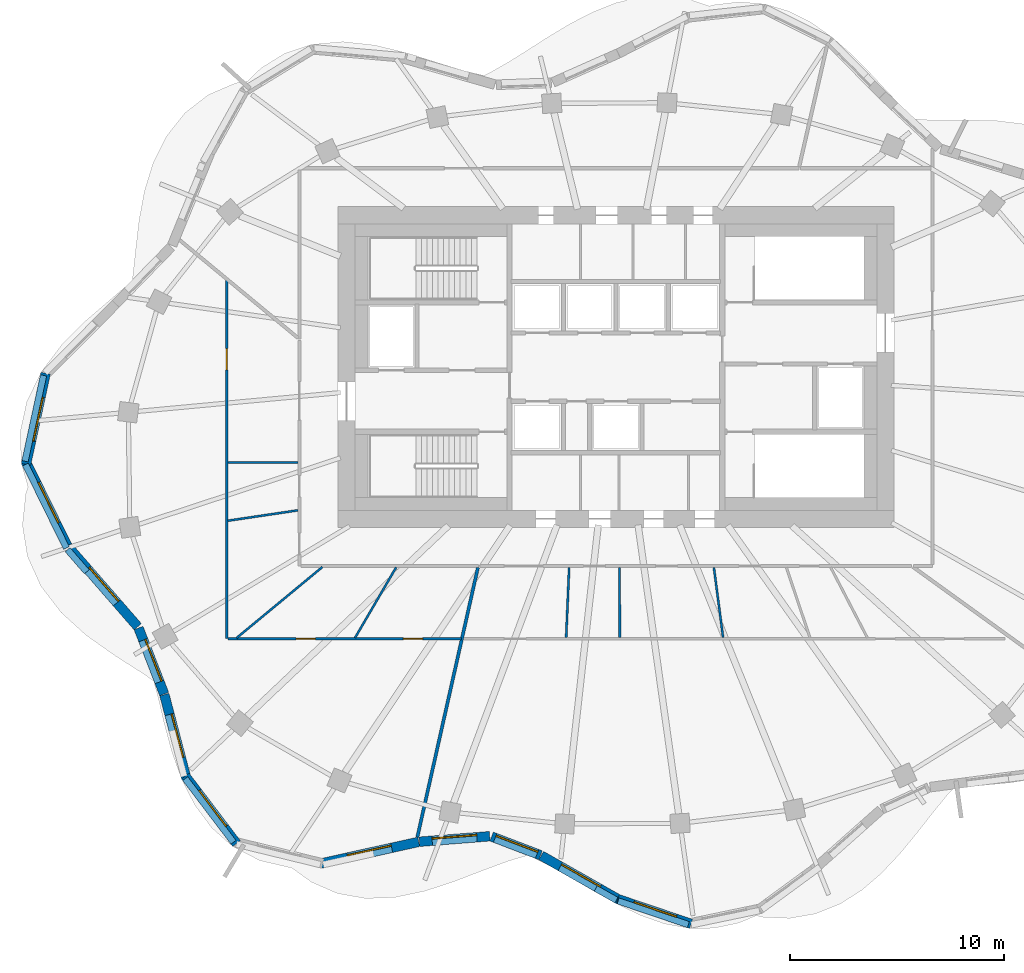
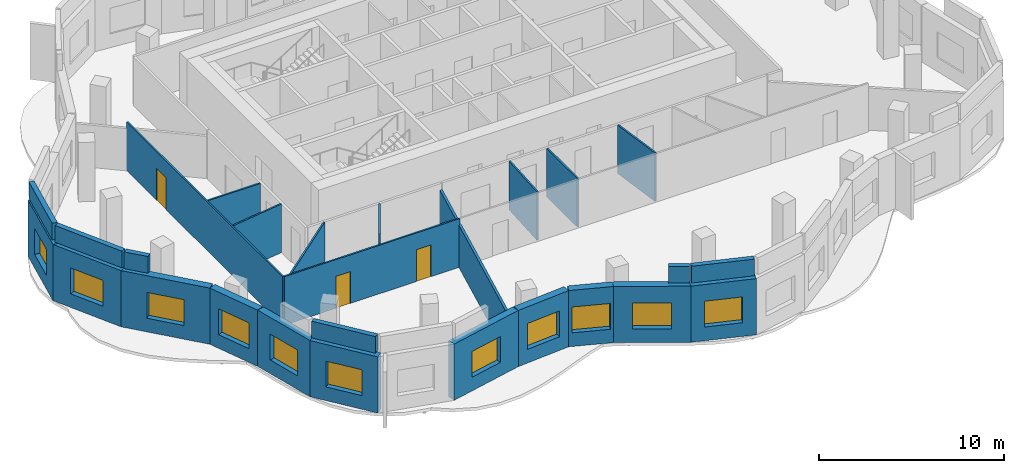
# One storey, part 3 of 9: 27 walls, 11 windows, 3 doors, 14 openings.
"""IFC4 building model written with IfcOpenShell, lengths in metres."""

from ifc_helpers import new_model, si_unit, direction, frame, frame_2d, origin, place, context, subcontext, project, spatial, rectangle, extrude, material, layer, layer_set, type_object, element, fill, save


model = new_model("IFC4")

# Units and contexts
model_context = context("Model", 3, precision=1e-05, world=origin(), true_north=direction((0.0, 1.0)))
body_context = subcontext(model_context, "Body", "Model", "MODEL_VIEW")
ifc_project = project(units=[si_unit("LENGTHUNIT", "METRE"), si_unit("AREAUNIT", "SQUARE_METRE"), si_unit("VOLUMEUNIT", "CUBIC_METRE"), si_unit("PLANEANGLEUNIT", "RADIAN"), si_unit("MASSUNIT", "GRAM", prefix="KILO")], contexts=[model_context])

# Site, building, storey
site_placement = place(None, origin())
site = spatial("IfcSite", under=ifc_project, at=site_placement, CompositionType="ELEMENT")
building_placement = place(site_placement, origin())
building = spatial("IfcBuilding", under=site, at=building_placement, Name="Rubra Terraces Tower", CompositionType="ELEMENT")
storey_placement = place(building_placement, frame((0.0, 0.0, 303.89990234375)))
storey = spatial("IfcBuildingStorey", under=building, at=storey_placement, Name="L75", CompositionType="ELEMENT", Elevation=303.89990234375)

# Wall, opening, window
ifc_material_1 = material(Name="Brick masonry red-brown", Category="masonry")
ifc_layer_1 = layer(ifc_material_1, 0.449951171875)
ifc_layer_set_1 = layer_set([ifc_layer_1], Name="Brick masonry red-brown")
wall_type_1 = type_object("IfcWallType", Name="Brick facade wall 450", PredefinedType="SOLIDWALL", material=ifc_layer_set_1)
wall_1_placement = place(storey_placement, frame((-26.668212890625, 4.21142578125, 0.0), z_axis=(0.0, 0.0, 1.0), x_axis=(-0.210910311825, -0.977505417052, 0.0)))
wall_1 = element("IfcWall", 1, at=wall_1_placement, inside=storey, type_object=wall_type_1, Name="Facade wall L75 bay 20", PredefinedType="SOLIDWALL", context=body_context, shape_type="SweptSolid", body=[
    extrude(rectangle(XDim=4.35693359375, YDim=0.449951171875, at=frame_2d((2.178466796875, 0.0))), origin(), (0.0, 0.0, 1.0), 3.7001953125),
])
opening_1_placement = place(wall_1_placement, frame((1.12841796875, 0.0, 0.89990234375)))
opening_1 = element("IfcOpeningElement", 2, at=opening_1_placement, cuts=wall_1, Name="Opening W1Y", PredefinedType="OPENING", context=body_context, shape_type="SweptSolid", body=[
    extrude(rectangle(XDim=2.10009765625, YDim=1.699951171875, at=frame_2d((1.050048828125, 0.85009765625))), frame((0.0, 0.23486328125, 0.0), z_axis=(0.0, -1.0, 0.0), x_axis=(1.0, 0.0, 0.0)), (0.0, 0.0, 1.0), 0.469970703125),
])
ifc_material_2 = material(Name="Clear glass in aluminium frame", Category="aluminium")
window_type = type_object("IfcWindowType", Name="Fixed deep-set window under crown ring girder 2100 x 1700", PartitioningType="SINGLE_PANEL", PredefinedType="WINDOW", material=ifc_material_2)
window_1_placement = place(opening_1_placement, origin())
window_1 = element("IfcWindow", 3, at=window_1_placement, inside=storey, type_object=window_type, Name="Window L75 bay 20", OverallHeight=1.699951171875, OverallWidth=2.10009765625, PartitioningType="SINGLE_PANEL", PredefinedType="WINDOW", context=body_context, shape_type="SweptSolid", body=[
    extrude(rectangle(XDim=2.10009765625, YDim=1.699951171875, at=frame_2d((1.050048828125, 0.85009765625))), frame((0.0, 0.135009765625, 0.0), z_axis=(0.0, -1.0, 0.0), x_axis=(1.0, 0.0, 0.0)), (0.0, 0.0, 1.0), 0.06005859375),
])
fill(opening_1, window_1)

wall_2_placement = place(storey_placement, frame((-27.60498046875, 0.09912109375, 0.0), z_axis=(0.0, 0.0, 1.0), x_axis=(0.440876526139, -0.897567762734, 0.0)))
wall_2 = element("IfcWall", 4, at=wall_2_placement, inside=storey, type_object=wall_type_1, Name="Facade wall L75 bay 21", PredefinedType="SOLIDWALL", context=body_context, shape_type="SweptSolid", body=[
    extrude(rectangle(XDim=4.4150390625, YDim=0.449951171875, at=frame_2d((2.20751953125, 0.0))), origin(), (0.0, 0.0, 1.0), 3.7001953125),
])
opening_2_placement = place(wall_2_placement, frame((1.15771484375, 0.0, 0.89990234375)))
opening_2 = element("IfcOpeningElement", 5, at=opening_2_placement, cuts=wall_2, Name="Opening W1Y", PredefinedType="OPENING", context=body_context, shape_type="SweptSolid", body=[
    extrude(rectangle(XDim=2.10009765625, YDim=1.699951171875, at=frame_2d((1.050048828125, 0.85009765625))), frame((0.0, 0.23486328125, 0.0), z_axis=(0.0, -1.0, 0.0), x_axis=(1.0, 0.0, 0.0)), (0.0, 0.0, 1.0), 0.469970703125),
])
window_2_placement = place(opening_2_placement, origin())
window_2 = element("IfcWindow", 6, at=window_2_placement, inside=storey, type_object=window_type, Name="Window L75 bay 21", OverallHeight=1.699951171875, OverallWidth=2.10009765625, PartitioningType="SINGLE_PANEL", PredefinedType="WINDOW", context=body_context, shape_type="SweptSolid", body=[
    extrude(rectangle(XDim=2.10009765625, YDim=1.699951171875, at=frame_2d((1.050048828125, 0.85009765625))), frame((0.0, 0.135009765625, 0.0), z_axis=(0.0, -1.0, 0.0), x_axis=(1.0, 0.0, 0.0)), (0.0, 0.0, 1.0), 0.06005859375),
])
fill(opening_2, window_2)

wall_3_placement = place(storey_placement, frame((-25.690673828125, -3.815185546875, 0.0), z_axis=(0.0, 0.0, 1.0), x_axis=(0.656552883353, -0.754279995334, 0.0)))
wall_3 = element("IfcWall", 7, at=wall_3_placement, inside=storey, type_object=wall_type_1, Name="Facade wall L75 bay 22", PredefinedType="SOLIDWALL", context=body_context, shape_type="SweptSolid", body=[
    extrude(rectangle(XDim=5.0712890625, YDim=0.449951171875, at=frame_2d((2.53564453125, 0.0))), origin(), (0.0, 0.0, 1.0), 3.7001953125),
])
opening_3_placement = place(wall_3_placement, frame((1.485595703125, 0.0, 0.89990234375)))
opening_3 = element("IfcOpeningElement", 8, at=opening_3_placement, cuts=wall_3, Name="Opening W1Y", PredefinedType="OPENING", context=body_context, shape_type="SweptSolid", body=[
    extrude(rectangle(XDim=2.10009765625, YDim=1.699951171875, at=frame_2d((1.050048828125, 0.85009765625))), frame((0.0, 0.23486328125, 0.0), z_axis=(0.0, -1.0, 0.0), x_axis=(1.0, 0.0, 0.0)), (0.0, 0.0, 1.0), 0.469970703125),
])
window_3_placement = place(opening_3_placement, origin())
window_3 = element("IfcWindow", 9, at=window_3_placement, inside=storey, type_object=window_type, Name="Window L75 bay 22", OverallHeight=1.699951171875, OverallWidth=2.10009765625, PartitioningType="SINGLE_PANEL", PredefinedType="WINDOW", context=body_context, shape_type="SweptSolid", body=[
    extrude(rectangle(XDim=2.10009765625, YDim=1.699951171875, at=frame_2d((1.050048828125, 0.85009765625))), frame((0.0, 0.135009765625, 0.0), z_axis=(0.0, -1.0, 0.0), x_axis=(1.0, 0.0, 0.0)), (0.0, 0.0, 1.0), 0.06005859375),
])
fill(opening_3, window_3)

wall_4_placement = place(storey_placement, frame((-22.323486328125, -7.70068359375, 0.0), z_axis=(0.0, 0.0, 1.0), x_axis=(0.361550075906, -0.932352692178, 0.0)))
wall_4 = element("IfcWall", 10, at=wall_4_placement, inside=storey, type_object=wall_type_1, Name="Facade wall L75 bay 23", PredefinedType="SOLIDWALL", context=body_context, shape_type="SweptSolid", body=[
    extrude(rectangle(XDim=3.3134765625, YDim=0.449951171875, at=frame_2d((1.65673828125, 0.0))), origin(), (0.0, 0.0, 1.0), 3.7001953125),
])
opening_4_placement = place(wall_4_placement, frame((0.606689453125, 0.0, 0.89990234375)))
opening_4 = element("IfcOpeningElement", 11, at=opening_4_placement, cuts=wall_4, Name="Opening W1Y", PredefinedType="OPENING", context=body_context, shape_type="SweptSolid", body=[
    extrude(rectangle(XDim=2.10009765625, YDim=1.699951171875, at=frame_2d((1.050048828125, 0.85009765625))), frame((0.0, 0.23486328125, 0.0), z_axis=(0.0, -1.0, 0.0), x_axis=(1.0, 0.0, 0.0)), (0.0, 0.0, 1.0), 0.469970703125),
])
window_4_placement = place(opening_4_placement, origin())
window_4 = element("IfcWindow", 12, at=window_4_placement, inside=storey, type_object=window_type, Name="Window L75 bay 23", OverallHeight=1.699951171875, OverallWidth=2.10009765625, PartitioningType="SINGLE_PANEL", PredefinedType="WINDOW", context=body_context, shape_type="SweptSolid", body=[
    extrude(rectangle(XDim=2.10009765625, YDim=1.699951171875, at=frame_2d((1.050048828125, 0.85009765625))), frame((0.0, 0.135009765625, 0.0), z_axis=(0.0, -1.0, 0.0), x_axis=(1.0, 0.0, 0.0)), (0.0, 0.0, 1.0), 0.06005859375),
])
fill(opening_4, window_4)

wall_5_placement = place(storey_placement, frame((-21.11669921875, -10.8154296875, 0.0), z_axis=(0.0, 0.0, 1.0), x_axis=(0.253065392985, -0.967449175344, 0.0)))
wall_5 = element("IfcWall", 13, at=wall_5_placement, inside=storey, type_object=wall_type_1, Name="Facade wall L75 bay 24", PredefinedType="SOLIDWALL", context=body_context, shape_type="SweptSolid", body=[
    extrude(rectangle(XDim=4.01513671875, YDim=0.449951171875, at=frame_2d((2.007568359375, 0.0))), origin(), (0.0, 0.0, 1.0), 3.7001953125),
])
opening_5_placement = place(wall_5_placement, frame((0.95751953125, 0.0, 0.89990234375)))
opening_5 = element("IfcOpeningElement", 14, at=opening_5_placement, cuts=wall_5, Name="Opening W1Y", PredefinedType="OPENING", context=body_context, shape_type="SweptSolid", body=[
    extrude(rectangle(XDim=2.10009765625, YDim=1.699951171875, at=frame_2d((1.050048828125, 0.85009765625))), frame((0.0, 0.23486328125, 0.0), z_axis=(0.0, -1.0, 0.0), x_axis=(1.0, 0.0, 0.0)), (0.0, 0.0, 1.0), 0.469970703125),
])
window_5_placement = place(opening_5_placement, origin())
window_5 = element("IfcWindow", 15, at=window_5_placement, inside=storey, type_object=window_type, Name="Window L75 bay 24", OverallHeight=1.699951171875, OverallWidth=2.10009765625, PartitioningType="SINGLE_PANEL", PredefinedType="WINDOW", context=body_context, shape_type="SweptSolid", body=[
    extrude(rectangle(XDim=2.10009765625, YDim=1.699951171875, at=frame_2d((1.050048828125, 0.85009765625))), frame((0.0, 0.135009765625, 0.0), z_axis=(0.0, -1.0, 0.0), x_axis=(1.0, 0.0, 0.0)), (0.0, 0.0, 1.0), 0.06005859375),
])
fill(opening_5, window_5)

wall_6_placement = place(storey_placement, frame((-20.1376953125, -14.6259765625, 0.0), z_axis=(0.0, 0.0, 1.0), x_axis=(0.604591324894, -0.796535830872, 0.0)))
wall_6 = element("IfcWall", 16, at=wall_6_placement, inside=storey, type_object=wall_type_1, Name="Facade wall L75 bay 25", PredefinedType="SOLIDWALL", context=body_context, shape_type="SweptSolid", body=[
    extrude(rectangle(XDim=3.964599609375, YDim=0.449951171875, at=frame_2d((1.982421875, 0.0))), origin(), (0.0, 0.0, 1.0), 3.7001953125),
])
opening_6_placement = place(wall_6_placement, frame((0.932373046875, 0.0, 0.89990234375)))
opening_6 = element("IfcOpeningElement", 17, at=opening_6_placement, cuts=wall_6, Name="Opening W1Y", PredefinedType="OPENING", context=body_context, shape_type="SweptSolid", body=[
    extrude(rectangle(XDim=2.10009765625, YDim=1.699951171875, at=frame_2d((1.050048828125, 0.85009765625))), frame((0.0, 0.23486328125, 0.0), z_axis=(0.0, -1.0, 0.0), x_axis=(1.0, 0.0, 0.0)), (0.0, 0.0, 1.0), 0.469970703125),
])
window_6_placement = place(opening_6_placement, origin())
window_6 = element("IfcWindow", 18, at=window_6_placement, inside=storey, type_object=window_type, Name="Window L75 bay 25", OverallHeight=1.699951171875, OverallWidth=2.10009765625, PartitioningType="SINGLE_PANEL", PredefinedType="WINDOW", context=body_context, shape_type="SweptSolid", body=[
    extrude(rectangle(XDim=2.10009765625, YDim=1.699951171875, at=frame_2d((1.050048828125, 0.85009765625))), frame((0.0, 0.135009765625, 0.0), z_axis=(0.0, -1.0, 0.0), x_axis=(1.0, 0.0, 0.0)), (0.0, 0.0, 1.0), 0.06005859375),
])
fill(opening_6, window_6)

wall_7_placement = place(storey_placement, frame((-13.802001953125, -18.714599609375, 0.0), z_axis=(0.0, 0.0, 1.0), x_axis=(0.976380129166, 0.216059814331, 0.0)))
wall_7 = element("IfcWall", 19, at=wall_7_placement, inside=storey, type_object=wall_type_1, Name="Facade wall L75 bay 27", PredefinedType="SOLIDWALL", context=body_context, shape_type="SweptSolid", body=[
    extrude(rectangle(XDim=4.691650390625, YDim=0.449951171875, at=frame_2d((2.345703125, 0.0))), origin(), (0.0, 0.0, 1.0), 3.7001953125),
])
opening_7_placement = place(wall_7_placement, frame((1.295654296875, 0.0, 0.89990234375)))
opening_7 = element("IfcOpeningElement", 20, at=opening_7_placement, cuts=wall_7, Name="Opening W1Y", PredefinedType="OPENING", context=body_context, shape_type="SweptSolid", body=[
    extrude(rectangle(XDim=2.10009765625, YDim=1.699951171875, at=frame_2d((1.050048828125, 0.85009765625))), frame((0.0, 0.23486328125, 0.0), z_axis=(0.0, -1.0, 0.0), x_axis=(1.0, 0.0, 0.0)), (0.0, 0.0, 1.0), 0.469970703125),
])
window_7_placement = place(opening_7_placement, origin())
window_7 = element("IfcWindow", 21, at=window_7_placement, inside=storey, type_object=window_type, Name="Window L75 bay 27", OverallHeight=1.699951171875, OverallWidth=2.10009765625, PartitioningType="SINGLE_PANEL", PredefinedType="WINDOW", context=body_context, shape_type="SweptSolid", body=[
    extrude(rectangle(XDim=2.10009765625, YDim=1.699951171875, at=frame_2d((1.050048828125, 0.85009765625))), frame((0.0, 0.135009765625, 0.0), z_axis=(0.0, -1.0, 0.0), x_axis=(1.0, 0.0, 0.0)), (0.0, 0.0, 1.0), 0.06005859375),
])
fill(opening_7, window_7)

wall_8_placement = place(storey_placement, frame((-9.188232421875, -17.69677734375, 0.0), z_axis=(0.0, 0.0, 1.0), x_axis=(0.996964028691, 0.077863505548, 0.0)))
wall_8 = element("IfcWall", 22, at=wall_8_placement, inside=storey, type_object=wall_type_1, Name="Facade wall L75 bay 28", PredefinedType="SOLIDWALL", context=body_context, shape_type="SweptSolid", body=[
    extrude(rectangle(XDim=3.29541015625, YDim=0.449951171875, at=frame_2d((1.647705078125, 0.0))), origin(), (0.0, 0.0, 1.0), 3.7001953125),
])
opening_8_placement = place(wall_8_placement, frame((0.59765625, 0.0, 0.89990234375)))
opening_8 = element("IfcOpeningElement", 23, at=opening_8_placement, cuts=wall_8, Name="Opening W1Y", PredefinedType="OPENING", context=body_context, shape_type="SweptSolid", body=[
    extrude(rectangle(XDim=2.10009765625, YDim=1.699951171875, at=frame_2d((1.050048828125, 0.85009765625))), frame((0.0, 0.23486328125, 0.0), z_axis=(0.0, -1.0, 0.0), x_axis=(1.0, 0.0, 0.0)), (0.0, 0.0, 1.0), 0.469970703125),
])
window_8_placement = place(opening_8_placement, origin())
window_8 = element("IfcWindow", 24, at=window_8_placement, inside=storey, type_object=window_type, Name="Window L75 bay 28", OverallHeight=1.699951171875, OverallWidth=2.10009765625, PartitioningType="SINGLE_PANEL", PredefinedType="WINDOW", context=body_context, shape_type="SweptSolid", body=[
    extrude(rectangle(XDim=2.10009765625, YDim=1.699951171875, at=frame_2d((1.050048828125, 0.85009765625))), frame((0.0, 0.135009765625, 0.0), z_axis=(0.0, -1.0, 0.0), x_axis=(1.0, 0.0, 0.0)), (0.0, 0.0, 1.0), 0.06005859375),
])
fill(opening_8, window_8)

wall_9_placement = place(storey_placement, frame((-5.810546875, -17.45458984375, 0.0), z_axis=(0.0, 0.0, 1.0), x_axis=(0.934122271306, -0.35695319336, 0.0)))
wall_9 = element("IfcWall", 25, at=wall_9_placement, inside=storey, type_object=wall_type_1, Name="Facade wall L75 bay 29", PredefinedType="SOLIDWALL", context=body_context, shape_type="SweptSolid", body=[
    extrude(rectangle(XDim=2.447998046875, YDim=0.449951171875, at=frame_2d((1.22412109375, 0.0))), origin(), (0.0, 0.0, 1.0), 3.7001953125),
])
opening_9_placement = place(wall_9_placement, frame((0.174072265625, 0.0, 0.89990234375)))
opening_9 = element("IfcOpeningElement", 26, at=opening_9_placement, cuts=wall_9, Name="Opening W1Y", PredefinedType="OPENING", context=body_context, shape_type="SweptSolid", body=[
    extrude(rectangle(XDim=2.10009765625, YDim=1.699951171875, at=frame_2d((1.050048828125, 0.85009765625))), frame((0.0, 0.23486328125, 0.0), z_axis=(0.0, -1.0, 0.0), x_axis=(1.0, 0.0, 0.0)), (0.0, 0.0, 1.0), 0.469970703125),
])
window_9_placement = place(opening_9_placement, origin())
window_9 = element("IfcWindow", 27, at=window_9_placement, inside=storey, type_object=window_type, Name="Window L75 bay 29", OverallHeight=1.699951171875, OverallWidth=2.10009765625, PartitioningType="SINGLE_PANEL", PredefinedType="WINDOW", context=body_context, shape_type="SweptSolid", body=[
    extrude(rectangle(XDim=2.10009765625, YDim=1.699951171875, at=frame_2d((1.050048828125, 0.85009765625))), frame((0.0, 0.135009765625, 0.0), z_axis=(0.0, -1.0, 0.0), x_axis=(1.0, 0.0, 0.0)), (0.0, 0.0, 1.0), 0.06005859375),
])
fill(opening_9, window_9)

wall_10_placement = place(storey_placement, frame((-3.4931640625, -18.3427734375, 0.0), z_axis=(0.0, 0.0, 1.0), x_axis=(0.869825988853, -0.493358641473, 0.0)))
wall_10 = element("IfcWall", 28, at=wall_10_placement, inside=storey, type_object=wall_type_1, Name="Facade wall L75 bay 30", PredefinedType="SOLIDWALL", context=body_context, shape_type="SweptSolid", body=[
    extrude(rectangle(XDim=4.164794921875, YDim=0.449951171875, at=frame_2d((2.08251953125, 0.0))), origin(), (0.0, 0.0, 1.0), 3.7001953125),
])
opening_10_placement = place(wall_10_placement, frame((1.032470703125, 0.0, 0.89990234375)))
opening_10 = element("IfcOpeningElement", 29, at=opening_10_placement, cuts=wall_10, Name="Opening W1Y", PredefinedType="OPENING", context=body_context, shape_type="SweptSolid", body=[
    extrude(rectangle(XDim=2.10009765625, YDim=1.699951171875, at=frame_2d((1.050048828125, 0.85009765625))), frame((0.0, 0.23486328125, 0.0), z_axis=(0.0, -1.0, 0.0), x_axis=(1.0, 0.0, 0.0)), (0.0, 0.0, 1.0), 0.469970703125),
])
window_10_placement = place(opening_10_placement, origin())
window_10 = element("IfcWindow", 30, at=window_10_placement, inside=storey, type_object=window_type, Name="Window L75 bay 30", OverallHeight=1.699951171875, OverallWidth=2.10009765625, PartitioningType="SINGLE_PANEL", PredefinedType="WINDOW", context=body_context, shape_type="SweptSolid", body=[
    extrude(rectangle(XDim=2.10009765625, YDim=1.699951171875, at=frame_2d((1.050048828125, 0.85009765625))), frame((0.0, 0.135009765625, 0.0), z_axis=(0.0, -1.0, 0.0), x_axis=(1.0, 0.0, 0.0)), (0.0, 0.0, 1.0), 0.06005859375),
])
fill(opening_10, window_10)

wall_11_placement = place(storey_placement, frame((0.090576171875, -20.380126953125, 0.0), z_axis=(0.0, 0.0, 1.0), x_axis=(0.947304227221, -0.320335294791, 0.0)))
wall_11 = element("IfcWall", 31, at=wall_11_placement, inside=storey, type_object=wall_type_1, Name="Facade wall L75 bay 31", PredefinedType="SOLIDWALL", context=body_context, shape_type="SweptSolid", body=[
    extrude(rectangle(XDim=3.6171875, YDim=0.449951171875, at=frame_2d((1.80859375, 0.0))), origin(), (0.0, 0.0, 1.0), 3.7001953125),
])
opening_11_placement = place(wall_11_placement, frame((0.758544921875, 0.0, 0.89990234375)))
opening_11 = element("IfcOpeningElement", 32, at=opening_11_placement, cuts=wall_11, Name="Opening W1Y", PredefinedType="OPENING", context=body_context, shape_type="SweptSolid", body=[
    extrude(rectangle(XDim=2.10009765625, YDim=1.699951171875, at=frame_2d((1.050048828125, 0.85009765625))), frame((0.0, 0.23486328125, 0.0), z_axis=(0.0, -1.0, 0.0), x_axis=(1.0, 0.0, 0.0)), (0.0, 0.0, 1.0), 0.469970703125),
])
window_11_placement = place(opening_11_placement, origin())
window_11 = element("IfcWindow", 33, at=window_11_placement, inside=storey, type_object=window_type, Name="Window L75 bay 31", OverallHeight=1.699951171875, OverallWidth=2.10009765625, PartitioningType="SINGLE_PANEL", PredefinedType="WINDOW", context=body_context, shape_type="SweptSolid", body=[
    extrude(rectangle(XDim=2.10009765625, YDim=1.699951171875, at=frame_2d((1.050048828125, 0.85009765625))), frame((0.0, 0.135009765625, 0.0), z_axis=(0.0, -1.0, 0.0), x_axis=(1.0, 0.0, 0.0)), (0.0, 0.0, 1.0), 0.06005859375),
])
fill(opening_11, window_11)

# Walls
ifc_layer_2 = layer(ifc_material_1, 0.300048828125)
ifc_layer_set_2 = layer_set([ifc_layer_2], Name="Brick masonry red-brown")
wall_type_2 = type_object("IfcWallType", Name="Brick parapet 300", PredefinedType="PARAPET", material=ifc_layer_set_2)
wall_12_placement = place(storey_placement, frame((-26.76611328125, 4.112060546875, 3.900146484375), z_axis=(0.0, 0.0, 1.0), x_axis=(-0.210962679137, -0.977494116612, 0.0)))
element("IfcWall", 34, at=wall_12_placement, inside=storey, type_object=wall_type_2, Name="Parapet L75 bay 20", PredefinedType="PARAPET", context=body_context, shape_type="SweptSolid", body=[
    extrude(rectangle(XDim=4.104736328125, YDim=0.300048828125, at=frame_2d((2.05224609375, 0.0))), origin(), (0.0, 0.0, 1.0), 1.099853515625),
])
wall_13_placement = place(storey_placement, frame((-27.61328125, -0.054443359375, 3.900146484375), z_axis=(0.0, 0.0, 1.0), x_axis=(0.44091498769, -0.897548869773, 0.0)))
element("IfcWall", 35, at=wall_13_placement, inside=storey, type_object=wall_type_2, Name="Parapet L75 bay 21", PredefinedType="PARAPET", context=body_context, shape_type="SweptSolid", body=[
    extrude(rectangle(XDim=4.348876953125, YDim=0.300048828125, at=frame_2d((2.17431640625, 0.0))), origin(), (0.0, 0.0, 1.0), 1.099853515625),
])
wall_14_placement = place(storey_placement, frame((-25.641357421875, -4.039794921875, 3.900146484375), z_axis=(0.0, 0.0, 1.0), x_axis=(0.656603605979, -0.754235841508, 0.0)))
element("IfcWall", 36, at=wall_14_placement, inside=storey, type_object=wall_type_2, Name="Parapet L75 bay 22", PredefinedType="PARAPET", context=body_context, shape_type="SweptSolid", body=[
    extrude(rectangle(XDim=1.365234375, YDim=0.300048828125, at=frame_2d((0.6826171875, 0.0))), origin(), (0.0, 0.0, 1.0), 1.099853515625),
])
wall_15_placement = place(storey_placement, frame((-20.143310546875, -14.742919921875, 3.900146484375), z_axis=(0.0, 0.0, 1.0), x_axis=(0.60459800049, -0.796530763878, 0.0)))
element("IfcWall", 37, at=wall_15_placement, inside=storey, type_object=wall_type_2, Name="Parapet L75 bay 25", PredefinedType="PARAPET", context=body_context, shape_type="SweptSolid", body=[
    extrude(rectangle(XDim=3.738525390625, YDim=0.300048828125, at=frame_2d((1.869140625, 0.0))), origin(), (0.0, 0.0, 1.0), 1.099853515625),
])
wall_16_placement = place(storey_placement, frame((-0.942626953125, -19.8798828125, 3.900146484375), z_axis=(0.0, 0.0, 1.0), x_axis=(0.869849179661, -0.493317752207, 0.0)))
element("IfcWall", 38, at=wall_16_placement, inside=storey, type_object=wall_type_2, Name="Parapet L75 bay 30", PredefinedType="PARAPET", context=body_context, shape_type="SweptSolid", body=[
    extrude(rectangle(XDim=1.110107421875, YDim=0.300048828125, at=frame_2d((0.55517578125, 0.0))), origin(), (0.0, 0.0, 1.0), 1.099853515625),
])
wall_17_placement = place(storey_placement, frame((0.103515625, -20.463623046875, 3.900146484375), z_axis=(0.0, 0.0, 1.0), x_axis=(0.947286690835, -0.32038714919, 0.0)))
element("IfcWall", 39, at=wall_17_placement, inside=storey, type_object=wall_type_2, Name="Parapet L75 bay 31", PredefinedType="PARAPET", context=body_context, shape_type="SweptSolid", body=[
    extrude(rectangle(XDim=3.46630859375, YDim=0.300048828125, at=frame_2d((1.733154296875, 0.0))), origin(), (0.0, 0.0, 1.0), 1.099853515625),
])

# Wall, opening, door
ifc_material_3 = material(Name="Plasterboard on steel stud", Category="steel")
ifc_layer_3 = layer(ifc_material_3, 0.10009765625)
ifc_layer_set_3 = layer_set([ifc_layer_3], Name="Plasterboard on steel stud")
wall_type_3 = type_object("IfcWallType", Name="ROOM PARTITION 100", PredefinedType="PARTITIONING", material=ifc_layer_set_3)
wall_18_placement = place(storey_placement, frame((-18.199951171875, -8.199951171875, 0.0), z_axis=(0.0, 0.0, 1.0), x_axis=(0.0, 1.0, 0.0)))
wall_18 = element("IfcWall", 40, at=wall_18_placement, inside=storey, type_object=wall_type_3, Name="PARTITION", PredefinedType="PARTITIONING", context=body_context, shape_type="SweptSolid", body=[
    extrude(rectangle(XDim=16.794677734375, YDim=0.10009765625, at=frame_2d((8.3974609375, 0.0))), origin(), (0.0, 0.0, 1.0), 3.197998046875),
])
opening_12_placement = place(wall_18_placement, frame((12.56689453125, 0.0, 0.0)))
opening_12 = element("IfcOpeningElement", 41, at=opening_12_placement, cuts=wall_18, Name="Opening 75-103", PredefinedType="OPENING", context=body_context, shape_type="SweptSolid", body=[
    extrude(rectangle(XDim=1.0, YDim=2.10009765625, at=frame_2d((0.5, 1.050048828125))), frame((0.0, 0.06005859375, 0.0), z_axis=(0.0, -1.0, 0.0), x_axis=(1.0, 0.0, 0.0)), (0.0, 0.0, 1.0), 0.1201171875),
])
ifc_material_4 = material(Name="Painted timber door leaf", Category="wood")
door_type_1 = type_object("IfcDoorType", Name="ROOM DOOR 1000 X 2100", OperationType="SINGLE_SWING_LEFT", PredefinedType="DOOR", material=ifc_material_4)
door_1_placement = place(opening_12_placement, origin())
door_1 = element("IfcDoor", 42, at=door_1_placement, inside=storey, type_object=door_type_1, Name="DOOR 75-103", OperationType="SINGLE_SWING_LEFT", OverallHeight=2.10009765625, OverallWidth=1.0, PredefinedType="DOOR", context=body_context, shape_type="SweptSolid", body=[
    extrude(rectangle(XDim=1.0, YDim=2.10009765625, at=frame_2d((0.5, 1.050048828125))), frame((0.0, 0.02490234375, 0.0), z_axis=(0.0, -1.0, 0.0), x_axis=(1.0, 0.0, 0.0)), (0.0, 0.0, 1.0), 0.050048828125),
])
fill(opening_12, door_1)

# Wall, openings, doors
wall_19_placement = place(storey_placement, frame((-7.220947265625, -8.199951171875, 0.0), z_axis=(0.0, 0.0, 1.0), x_axis=(-1.0, 0.0, 0.0)))
wall_19 = element("IfcWall", 43, at=wall_19_placement, inside=storey, type_object=wall_type_3, Name="PARTITION", PredefinedType="PARTITIONING", context=body_context, shape_type="SweptSolid", body=[
    extrude(rectangle(XDim=10.928955078125, YDim=0.10009765625, at=frame_2d((5.46435546875, 0.0))), origin(), (0.0, 0.0, 1.0), 3.197998046875),
])
opening_13_placement = place(wall_19_placement, frame((6.830078125, 0.0, 0.0)))
opening_13 = element("IfcOpeningElement", 44, at=opening_13_placement, cuts=wall_19, Name="Opening 75-106", PredefinedType="OPENING", context=body_context, shape_type="SweptSolid", body=[
    extrude(rectangle(XDim=0.89990234375, YDim=2.10009765625, at=frame_2d((0.449951171875, 1.050048828125))), frame((0.0, 0.06005859375, 0.0), z_axis=(0.0, -1.0, 0.0), x_axis=(1.0, 0.0, 0.0)), (0.0, 0.0, 1.0), 0.1201171875),
])
opening_14_placement = place(wall_19_placement, frame((1.81396484375, 0.0, 0.0)))
opening_14 = element("IfcOpeningElement", 45, at=opening_14_placement, cuts=wall_19, Name="Opening 75-107", PredefinedType="OPENING", context=body_context, shape_type="SweptSolid", body=[
    extrude(rectangle(XDim=0.89990234375, YDim=2.10009765625, at=frame_2d((0.449951171875, 1.050048828125))), frame((0.0, 0.06005859375, 0.0), z_axis=(0.0, -1.0, 0.0), x_axis=(1.0, 0.0, 0.0)), (0.0, 0.0, 1.0), 0.1201171875),
])
door_type_2 = type_object("IfcDoorType", Name="ROOM DOOR 900 X 2100", OperationType="SINGLE_SWING_LEFT", PredefinedType="DOOR", material=ifc_material_4)
door_2_placement = place(opening_13_placement, origin())
door_2 = element("IfcDoor", 46, at=door_2_placement, inside=storey, type_object=door_type_2, Name="DOOR 75-106", OperationType="SINGLE_SWING_RIGHT", OverallHeight=2.10009765625, OverallWidth=0.89990234375, PredefinedType="DOOR", context=body_context, shape_type="SweptSolid", body=[
    extrude(rectangle(XDim=0.89990234375, YDim=2.10009765625, at=frame_2d((0.449951171875, 1.050048828125))), frame((0.0, 0.02490234375, 0.0), z_axis=(0.0, -1.0, 0.0), x_axis=(1.0, 0.0, 0.0)), (0.0, 0.0, 1.0), 0.050048828125),
])
fill(opening_13, door_2)
door_3_placement = place(opening_14_placement, origin())
door_3 = element("IfcDoor", 47, at=door_3_placement, inside=storey, type_object=door_type_2, Name="DOOR 75-107", OperationType="SINGLE_SWING_RIGHT", OverallHeight=2.10009765625, OverallWidth=0.89990234375, PredefinedType="DOOR", context=body_context, shape_type="SweptSolid", body=[
    extrude(rectangle(XDim=0.89990234375, YDim=2.10009765625, at=frame_2d((0.449951171875, 1.050048828125))), frame((0.0, 0.02490234375, 0.0), z_axis=(0.0, -1.0, 0.0), x_axis=(1.0, 0.0, 0.0)), (0.0, 0.0, 1.0), 0.050048828125),
])
fill(opening_14, door_3)

# Walls
wall_20_placement = place(storey_placement, frame((-14.875, 0.043212890625, 0.0), z_axis=(0.0, 0.0, 1.0), x_axis=(-0.999999288634, 0.00119278281, 0.0)))
element("IfcWall", 48, at=wall_20_placement, inside=storey, type_object=wall_type_3, Name="PARTITION", PredefinedType="PARTITIONING", context=body_context, shape_type="SweptSolid", body=[
    extrude(rectangle(XDim=3.27490234375, YDim=0.10009765625, at=frame_2d((1.637451171875, 0.0))), origin(), (0.0, 0.0, 1.0), 3.197998046875),
])
wall_21_placement = place(storey_placement, frame((-14.874267578125, -2.197509765625, 0.0), z_axis=(0.0, 0.0, 1.0), x_axis=(-0.989128534105, -0.147053537934, 0.0)))
element("IfcWall", 49, at=wall_21_placement, inside=storey, type_object=wall_type_3, Name="PARTITION", PredefinedType="PARTITIONING", context=body_context, shape_type="SweptSolid", body=[
    extrude(rectangle(XDim=3.31201171875, YDim=0.10009765625, at=frame_2d((1.656005859375, 0.0))), origin(), (0.0, 0.0, 1.0), 3.197998046875),
])
wall_22_placement = place(storey_placement, frame((-13.7255859375, -4.847900390625, 0.0), z_axis=(0.0, 0.0, 1.0), x_axis=(-0.770616504922, -0.637299146667, 0.0)))
element("IfcWall", 50, at=wall_22_placement, inside=storey, type_object=wall_type_3, Name="PARTITION", PredefinedType="PARTITIONING", context=body_context, shape_type="SweptSolid", body=[
    extrude(rectangle(XDim=5.2099609375, YDim=0.10009765625, at=frame_2d((2.60498046875, 0.0))), origin(), (0.0, 0.0, 1.0), 3.197998046875),
])
wall_23_placement = place(storey_placement, frame((-10.27783203125, -4.86474609375, 0.0), z_axis=(0.0, 0.0, 1.0), x_axis=(-0.503743553808, -0.863853246794, 0.0)))
element("IfcWall", 51, at=wall_23_placement, inside=storey, type_object=wall_type_3, Name="PARTITION", PredefinedType="PARTITIONING", context=body_context, shape_type="SweptSolid", body=[
    extrude(rectangle(XDim=3.810791015625, YDim=0.10009765625, at=frame_2d((1.9052734375, 0.0))), origin(), (0.0, 0.0, 1.0), 3.197998046875),
])
wall_24_placement = place(storey_placement, frame((-2.186767578125, -4.875, 0.0), z_axis=(0.0, 0.0, 1.0), x_axis=(-0.042603299722, -0.999092067255, 0.0)))
element("IfcWall", 52, at=wall_24_placement, inside=storey, type_object=wall_type_3, Name="PARTITION", PredefinedType="PARTITIONING", context=body_context, shape_type="SweptSolid", body=[
    extrude(rectangle(XDim=3.27783203125, YDim=0.10009765625, at=frame_2d((1.638916015625, 0.0))), origin(), (0.0, 0.0, 1.0), 3.197998046875),
])
wall_25_placement = place(storey_placement, frame((0.173583984375, -4.875, 0.0), z_axis=(0.0, 0.0, 1.0), x_axis=(0.001938269805, -0.999998121553, 0.0)))
element("IfcWall", 53, at=wall_25_placement, inside=storey, type_object=wall_type_3, Name="PARTITION", PredefinedType="PARTITIONING", context=body_context, shape_type="SweptSolid", body=[
    extrude(rectangle(XDim=3.27490234375, YDim=0.10009765625, at=frame_2d((1.637451171875, 0.0))), origin(), (0.0, 0.0, 1.0), 3.197998046875),
])
wall_26_placement = place(storey_placement, frame((4.58349609375, -4.87451171875, 0.0), z_axis=(0.0, 0.0, 1.0), x_axis=(0.130125733959, -0.991497500431, 0.0)))
element("IfcWall", 54, at=wall_26_placement, inside=storey, type_object=wall_type_3, Name="PARTITION", PredefinedType="PARTITIONING", context=body_context, shape_type="SweptSolid", body=[
    extrude(rectangle(XDim=3.303955078125, YDim=0.10009765625, at=frame_2d((1.65185546875, 0.0))), origin(), (0.0, 0.0, 1.0), 3.197998046875),
])
ifc_layer_4 = layer(ifc_material_3, 0.14990234375)
ifc_layer_set_4 = layer_set([ifc_layer_4], Name="Plasterboard on steel stud")
wall_type_4 = type_object("IfcWallType", Name="ROOM PARTITION 150", PredefinedType="PARTITIONING", material=ifc_layer_set_4)
wall_27_placement = place(storey_placement, frame((-9.286376953125, -17.485107421875, 0.0), z_axis=(0.0, 0.0, 1.0), x_axis=(0.219187693593, 0.975682712247, 0.0)))
element("IfcWall", 55, at=wall_27_placement, inside=storey, type_object=wall_type_4, Name="PARTITION", PredefinedType="PARTITIONING", context=body_context, shape_type="SweptSolid", body=[
    extrude(rectangle(XDim=12.926025390625, YDim=0.14990234375, at=frame_2d((6.462890625, 0.0))), origin(), (0.0, 0.0, 1.0), 2.780029296875),
])

save(model, "model.ifc")
